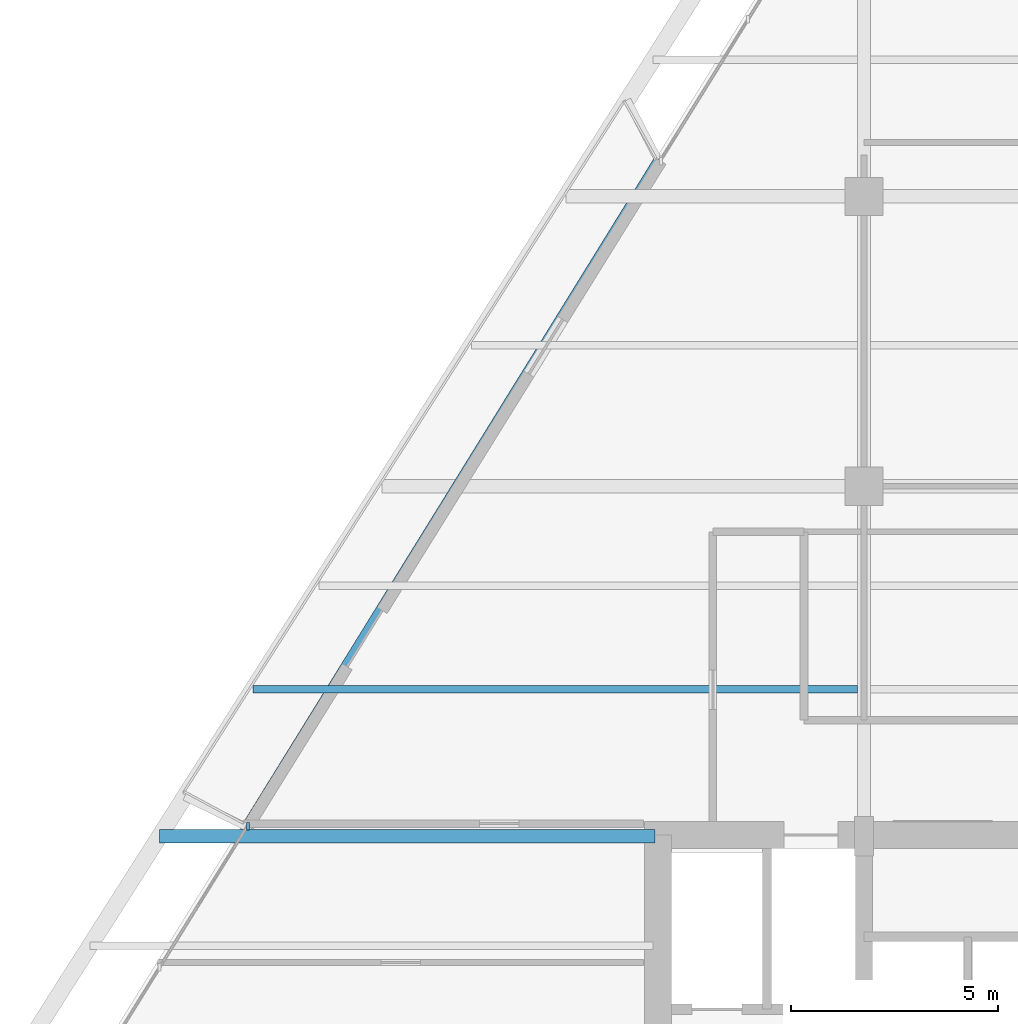
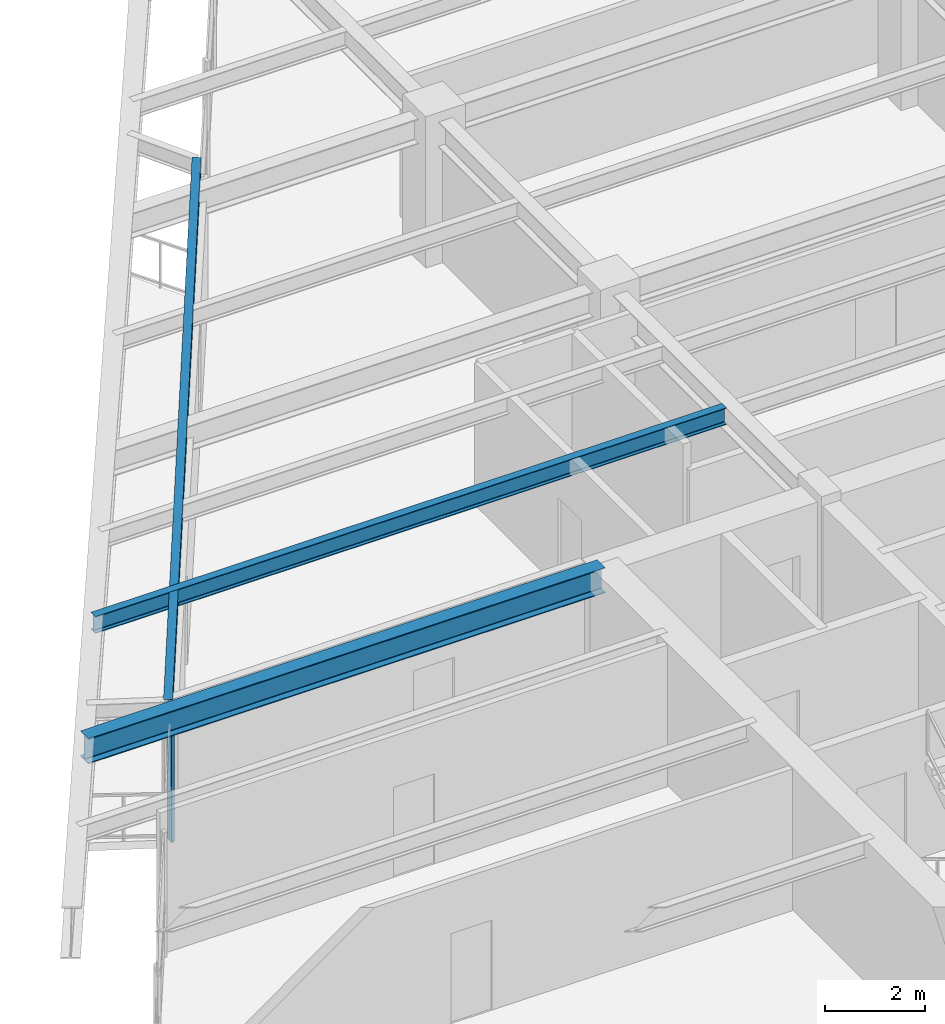
# One storey, part 4 of 15: 3 beams, 1 member, 1 element without a shape of its own.
"""IFC4 building model written with IfcOpenShell, lengths in metres."""

from ifc_helpers import new_model, si_unit, direction, frame, origin, origin_2d, place, context, subcontext, project, spatial, rectangle, i_section, extrude, source, transform, mapped, material, material_profile, profile_set, type_object, element, aggregate, save


model = new_model("IFC4")

# Units and contexts
model_context = context("Model", 3, precision=1e-05, world=origin(), true_north=direction((0.0, 1.0)))
body_context = subcontext(model_context, "Body", "Model", "MODEL_VIEW")
ifc_project = project(units=[si_unit("LENGTHUNIT", "METRE"), si_unit("AREAUNIT", "SQUARE_METRE"), si_unit("VOLUMEUNIT", "CUBIC_METRE"), si_unit("PLANEANGLEUNIT", "RADIAN"), si_unit("MASSUNIT", "GRAM", prefix="KILO")], contexts=[model_context])

# Site, building, storey
site_placement = place(None, origin())
site = spatial("IfcSite", under=ifc_project, at=site_placement, CompositionType="ELEMENT")
building_placement = place(site_placement, origin())
building = spatial("IfcBuilding", under=site, at=building_placement, Name="Varnakhor Terracotta Tower", CompositionType="ELEMENT")
storey_placement = place(building_placement, frame((0.0, 0.0, 185.800048828125)))
storey = spatial("IfcBuildingStorey", under=building, at=storey_placement, Name="L47", CompositionType="ELEMENT", Elevation=185.800048828125)

# Beams
ifc_material_1 = material(Name="Steel S355", Category="steel")
ifc_material_profile_1 = material_profile(ifc_material_1, i_section(OverallWidth=0.179931640625, OverallDepth=0.39990234375, WebThickness=0.008544921875, FlangeThickness=0.013427734375, FilletRadius=0.01806640625, at=origin_2d()), Name="IPE400")
ifc_profile_set_1 = profile_set([ifc_material_profile_1], Name="Steel S355")
beam_type_1 = type_object("IfcBeamType", Name="JST-IPE400", PredefinedType="JOIST", material=ifc_profile_set_1)
shared_shape_1 = source(origin(), body_context, "Body", "SweptSolid", [
    extrude(i_section(OverallWidth=0.179931640625, OverallDepth=0.39990234375, WebThickness=0.008544921875, FlangeThickness=0.013427734375, FilletRadius=0.01806640625, at=origin_2d()), origin(), (0.0, 0.0, 1.0), 18.947265625),
])
beam_1_placement = place(storey_placement, frame((-10.47705078125, 32.3994140625, 3.27001953125), z_axis=(-0.525900744638, -0.850545946313, 0.0), x_axis=(0.850545946313, -0.525900744638, 0.0)))
element("IfcBeam", 1, at=beam_1_placement, inside=storey, type_object=beam_type_1, Name="L47 Loggia Edge Beam 2", PredefinedType="JOIST", context=body_context, shape_type="MappedRepresentation", body=[
    mapped(shared_shape_1, transform((0.0, 0.0, 0.0), scale=1.0)),
])
ifc_material_profile_2 = material_profile(ifc_material_1, i_section(OverallWidth=0.324951171875, OverallDepth=0.615966796875, WebThickness=0.013916015625, FlangeThickness=0.02197265625, FilletRadius=0.01806640625, at=origin_2d()), Name="W24X117")
ifc_profile_set_2 = profile_set([ifc_material_profile_2], Name="Steel S355")
beam_type_2 = type_object("IfcBeamType", Name="BM-W24X117", PredefinedType="BEAM", material=ifc_profile_set_2)
shared_shape_2 = source(origin(), body_context, "Body", "SweptSolid", [
    extrude(i_section(OverallWidth=0.324951171875, OverallDepth=0.615966796875, WebThickness=0.013916015625, FlangeThickness=0.02197265625, FilletRadius=0.01806640625, at=origin_2d()), origin(), (0.0, 0.0, 1.0), 11.96142578125),
])
beam_2_placement = place(storey_placement, frame((-22.511474609375, 16.050048828125, 3.161865234375), z_axis=(1.0, 0.0, 0.0), x_axis=(0.0, 1.0, 0.0)))
element("IfcBeam", 2, at=beam_2_placement, inside=storey, type_object=beam_type_2, Name="L47 Wing Girder W", PredefinedType="BEAM", context=body_context, shape_type="MappedRepresentation", body=[
    mapped(shared_shape_2, transform((0.0, 0.0, 0.0), scale=1.0)),
])
ifc_material_profile_3 = material_profile(ifc_material_1, i_section(OverallWidth=0.179931640625, OverallDepth=0.4130859375, WebThickness=0.009765625, FlangeThickness=0.01611328125, FilletRadius=0.01806640625, at=origin_2d()), Name="W16X50")
ifc_profile_set_3 = profile_set([ifc_material_profile_3], Name="Steel S355")
beam_type_3 = type_object("IfcBeamType", Name="JST-W16X50", PredefinedType="JOIST", material=ifc_profile_set_3)
shared_shape_3 = source(origin(), body_context, "Body", "SweptSolid", [
    extrude(i_section(OverallWidth=0.179931640625, OverallDepth=0.4130859375, WebThickness=0.009765625, FlangeThickness=0.01611328125, FilletRadius=0.01806640625, at=origin_2d()), origin(), (0.0, 0.0, 1.0), 14.597412109375),
])
beam_3_placement = place(storey_placement, frame((-20.255859375, 19.60009765625, 3.263427734375), z_axis=(1.0, 0.0, 0.0), x_axis=(0.0, 1.0, 0.0)))
element("IfcBeam", 3, at=beam_3_placement, inside=storey, type_object=beam_type_3, Name="L47 Composite Floor Joist 4-1", PredefinedType="JOIST", context=body_context, shape_type="MappedRepresentation", body=[
    mapped(shared_shape_3, transform((0.0, 0.0, 0.0), scale=1.0)),
])

# Curtain wall, member
ifc_material_2 = material(Name="Anodised Aluminium Curtain Wall System", Category="aluminium")
curtain_wall_type = type_object("IfcCurtainWallType", Name="CW-SYS-MID-OFFICE", PredefinedType="NOTDEFINED", material=ifc_material_2)
curtain_wall_placement = place(storey_placement, origin())
curtain_wall = element("IfcCurtainWall", 4, at=curtain_wall_placement, inside=storey, type_object=curtain_wall_type, Name="L47 W Facet Curtain Wall 1", PredefinedType="NOTDEFINED")
ifc_material_3 = material(Name="Anodised Aluminium 6063-T6", Category="aluminium")
ifc_material_profile_4 = material_profile(ifc_material_3, rectangle(XDim=0.070068359375, YDim=0.175048828125, at=origin_2d()), Name="ALU MULLION 70x175")
ifc_profile_set_4 = profile_set([ifc_material_profile_4], Name="Anodised Aluminium 6063-T6")
member_type = type_object("IfcMemberType", Name="CWM-03", PredefinedType="MULLION", material=ifc_profile_set_4)
shared_shape_4 = source(origin(), body_context, "Body", "SweptSolid", [
    extrude(rectangle(XDim=0.070068359375, YDim=0.175048828125, at=origin_2d()), origin(), (0.0, 0.0, 1.0), 3.050048828125),
])
member_placement = place(storey_placement, frame((-20.373046875, 16.285888671875, 0.0), z_axis=(0.0, 0.0, 1.0), x_axis=(1.0, 0.0, 0.0)))
member = element("IfcMember", 5, at=member_placement, type_object=member_type, Name="L47 W Loggia Jamb Closure Mullion 1", PredefinedType="MULLION", context=body_context, shape_type="MappedRepresentation", body=[
    mapped(shared_shape_4, transform((0.0, 0.0, 0.0), scale=1.0)),
])
aggregate(curtain_wall, [member])

save(model, "model.ifc")
